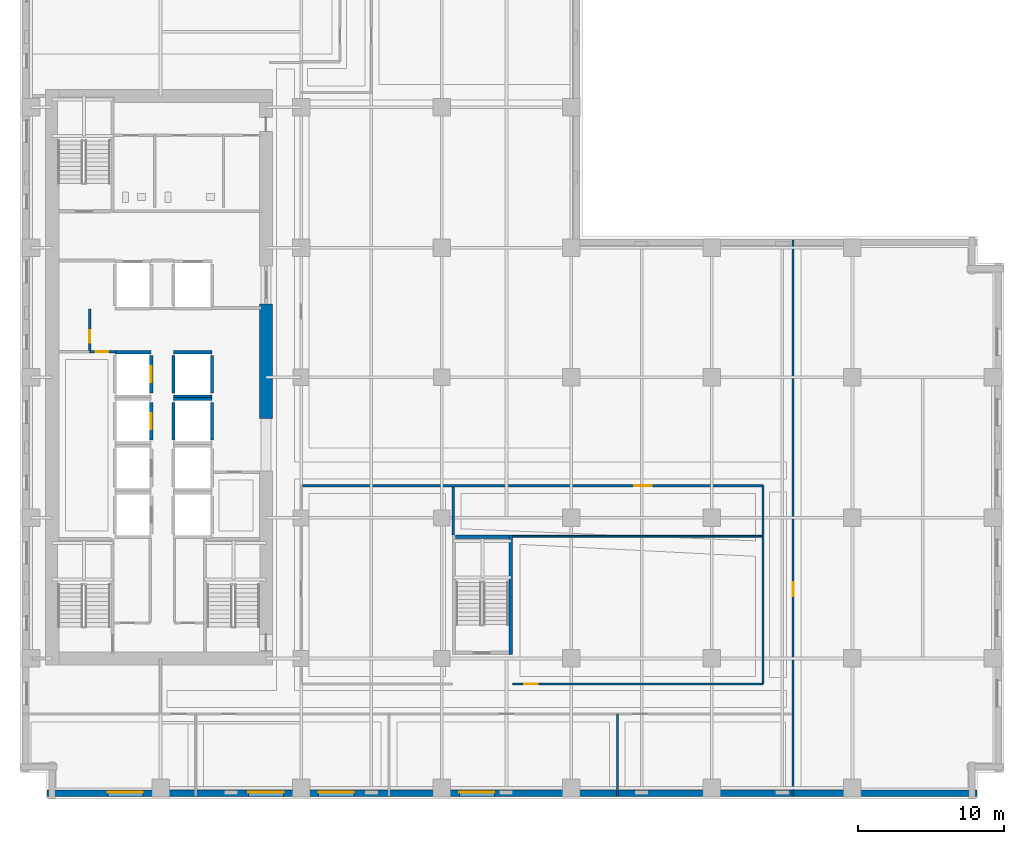
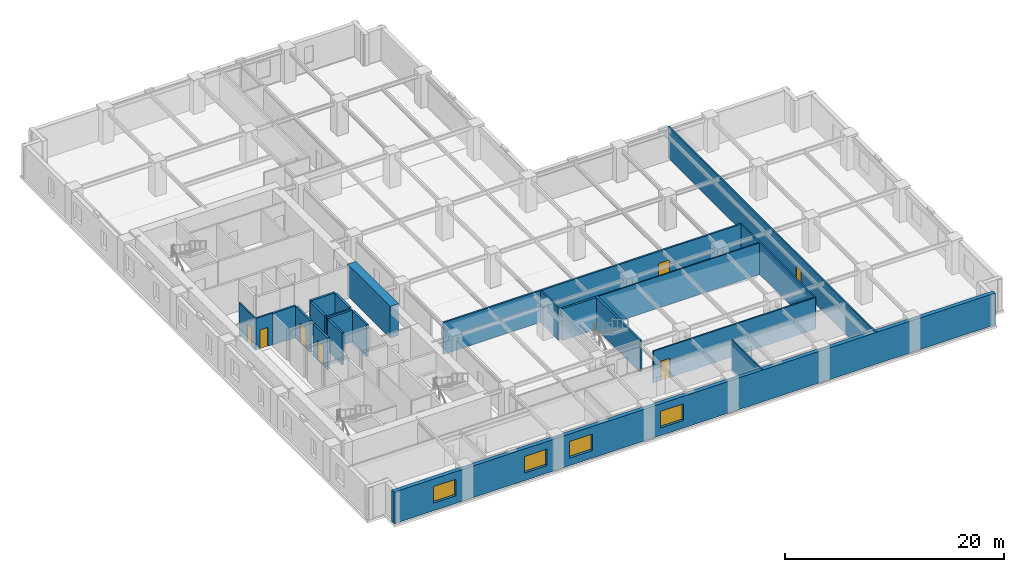
# One storey, part 5 of 13: 23 walls, 7 doors, 4 windows, 11 openings.
"""IFC4 building model written with IfcOpenShell, lengths in metres."""

from ifc_helpers import new_model, si_unit, direction, frame, frame_2d, origin, place, context, subcontext, project, spatial, rectangle, extrude, material, layer, layer_set, type_object, element, fill, save


model = new_model("IFC4")

# Units and contexts
model_context = context("Model", 3, precision=1e-05, world=origin(), true_north=direction((0.0, 1.0)))
body_context = subcontext(model_context, "Body", "Model", "MODEL_VIEW")
ifc_project = project(units=[si_unit("LENGTHUNIT", "METRE"), si_unit("AREAUNIT", "SQUARE_METRE"), si_unit("VOLUMEUNIT", "CUBIC_METRE"), si_unit("PLANEANGLEUNIT", "RADIAN"), si_unit("MASSUNIT", "GRAM", prefix="KILO")], contexts=[model_context])

# Site, building, storey
site_placement = place(None, origin())
site = spatial("IfcSite", under=ifc_project, at=site_placement, CompositionType="ELEMENT")
building_placement = place(site_placement, origin())
building = spatial("IfcBuilding", under=site, at=building_placement, Name="Norrvale University Quadrangle", CompositionType="ELEMENT")
storey_placement = place(building_placement, frame((0.0, 0.0, 39.39990234375)))
storey = spatial("IfcBuildingStorey", under=building, at=storey_placement, Name="L09", CompositionType="ELEMENT", Elevation=39.39990234375)

# Wall, openings, windows
ifc_material_1 = material(Name="Buff Norman Clay Brick Masonry", Category="masonry")
ifc_layer_1 = layer(ifc_material_1, 0.419921875, Name="Buff Norman Clay Brick Masonry")
ifc_layer_set_1 = layer_set([ifc_layer_1], Name="Buff Norman Clay Brick Masonry")
wall_type_1 = type_object("IfcWallType", Name="Wall Buff Brick 420", PredefinedType="SOLIDWALL", material=ifc_layer_set_1)
wall_1_placement = place(storey_placement, frame((1.840087890625, 0.389892578125, 0.0), z_axis=(0.0, 0.0, 1.0), x_axis=(1.0, 0.0, 0.0)))
wall_1 = element("IfcWall", 1, at=wall_1_placement, inside=storey, type_object=wall_type_1, Name="Exterior Brick Facade Wall L09-01.1", PredefinedType="SOLIDWALL", context=body_context, shape_type="SweptSolid", body=[
    extrude(rectangle(XDim=63.52001953125, YDim=0.419921875, at=frame_2d((31.760009765625, 0.0))), origin(), (0.0, 0.0, 1.0), 3.5400390625),
])
opening_1_placement = place(wall_1_placement, frame((4.159912109375, 0.0, 0.85009765625)))
opening_1 = element("IfcOpeningElement", 2, at=opening_1_placement, cuts=wall_1, Name="Opening W02", PredefinedType="OPENING", context=body_context, shape_type="SweptSolid", body=[
    extrude(rectangle(XDim=2.39990234375, YDim=1.85009765625, at=frame_2d((1.199951171875, 0.925048828125))), frame((0.0, 0.221923828125, 0.0), z_axis=(0.0, -1.0, 0.0), x_axis=(1.0, 0.0, 0.0)), (0.0, 0.0, 1.0), 0.44384765625),
])
opening_2_placement = place(wall_1_placement, frame((13.760009765625, 0.0, 0.85009765625)))
opening_2 = element("IfcOpeningElement", 3, at=opening_2_placement, cuts=wall_1, Name="Opening W02", PredefinedType="OPENING", context=body_context, shape_type="SweptSolid", body=[
    extrude(rectangle(XDim=2.39990234375, YDim=1.85009765625, at=frame_2d((1.199951171875, 0.925048828125))), frame((0.0, 0.221923828125, 0.0), z_axis=(0.0, -1.0, 0.0), x_axis=(1.0, 0.0, 0.0)), (0.0, 0.0, 1.0), 0.44384765625),
])
opening_3_placement = place(wall_1_placement, frame((18.56005859375, 0.0, 0.85009765625)))
opening_3 = element("IfcOpeningElement", 4, at=opening_3_placement, cuts=wall_1, Name="Opening W02", PredefinedType="OPENING", context=body_context, shape_type="SweptSolid", body=[
    extrude(rectangle(XDim=2.39990234375, YDim=1.85009765625, at=frame_2d((1.199951171875, 0.925048828125))), frame((0.0, 0.221923828125, 0.0), z_axis=(0.0, -1.0, 0.0), x_axis=(1.0, 0.0, 0.0)), (0.0, 0.0, 1.0), 0.44384765625),
])
opening_4_placement = place(wall_1_placement, frame((28.159912109375, 0.0, 0.85009765625)))
opening_4 = element("IfcOpeningElement", 5, at=opening_4_placement, cuts=wall_1, Name="Opening W02", PredefinedType="OPENING", context=body_context, shape_type="SweptSolid", body=[
    extrude(rectangle(XDim=2.39990234375, YDim=1.85009765625, at=frame_2d((1.199951171875, 0.925048828125))), frame((0.0, 0.221923828125, 0.0), z_axis=(0.0, -1.0, 0.0), x_axis=(1.0, 0.0, 0.0)), (0.0, 0.0, 1.0), 0.44384765625),
])
ifc_material_2 = material(Name="Triple Low-E Argon Glazing", Category="glass")
window_type = type_object("IfcWindowType", Name="Window Academic 2400x2300", PartitioningType="TRIPLE_PANEL_VERTICAL", PredefinedType="WINDOW", material=ifc_material_2)
window_1_placement = place(opening_1_placement, origin())
window_1 = element("IfcWindow", 6, at=window_1_placement, inside=storey, type_object=window_type, Name="Window Academic 2400x2300 WIN-L09-E01-1-01", OverallHeight=1.85009765625, OverallWidth=2.39990234375, PartitioningType="TRIPLE_PANEL_VERTICAL", PredefinedType="WINDOW", context=body_context, shape_type="SweptSolid", body=[
    extrude(rectangle(XDim=2.39990234375, YDim=1.85009765625, at=frame_2d((1.199951171875, 0.925048828125))), frame((0.0, 0.110107421875, 0.0), z_axis=(0.0, -1.0, 0.0), x_axis=(1.0, 0.0, 0.0)), (0.0, 0.0, 1.0), 0.06005859375),
])
fill(opening_1, window_1)
window_2_placement = place(opening_2_placement, origin())
window_2 = element("IfcWindow", 7, at=window_2_placement, inside=storey, type_object=window_type, Name="Window Academic 2400x2300 WIN-L09-E01-1-02", OverallHeight=1.85009765625, OverallWidth=2.39990234375, PartitioningType="TRIPLE_PANEL_VERTICAL", PredefinedType="WINDOW", context=body_context, shape_type="SweptSolid", body=[
    extrude(rectangle(XDim=2.39990234375, YDim=1.85009765625, at=frame_2d((1.199951171875, 0.925048828125))), frame((0.0, 0.110107421875, 0.0), z_axis=(0.0, -1.0, 0.0), x_axis=(1.0, 0.0, 0.0)), (0.0, 0.0, 1.0), 0.06005859375),
])
fill(opening_2, window_2)
window_3_placement = place(opening_3_placement, origin())
window_3 = element("IfcWindow", 8, at=window_3_placement, inside=storey, type_object=window_type, Name="Window Academic 2400x2300 WIN-L09-E01-1-03", OverallHeight=1.85009765625, OverallWidth=2.39990234375, PartitioningType="TRIPLE_PANEL_VERTICAL", PredefinedType="WINDOW", context=body_context, shape_type="SweptSolid", body=[
    extrude(rectangle(XDim=2.39990234375, YDim=1.85009765625, at=frame_2d((1.199951171875, 0.925048828125))), frame((0.0, 0.110107421875, 0.0), z_axis=(0.0, -1.0, 0.0), x_axis=(1.0, 0.0, 0.0)), (0.0, 0.0, 1.0), 0.06005859375),
])
fill(opening_3, window_3)
window_4_placement = place(opening_4_placement, origin())
window_4 = element("IfcWindow", 9, at=window_4_placement, inside=storey, type_object=window_type, Name="Window Academic 2400x2300 WIN-L09-E01-1-04", OverallHeight=1.85009765625, OverallWidth=2.39990234375, PartitioningType="TRIPLE_PANEL_VERTICAL", PredefinedType="WINDOW", context=body_context, shape_type="SweptSolid", body=[
    extrude(rectangle(XDim=2.39990234375, YDim=1.85009765625, at=frame_2d((1.199951171875, 0.925048828125))), frame((0.0, 0.110107421875, 0.0), z_axis=(0.0, -1.0, 0.0), x_axis=(1.0, 0.0, 0.0)), (0.0, 0.0, 1.0), 0.06005859375),
])
fill(opening_4, window_4)

# Walls
ifc_material_3 = material(Name="Concrete C80/95", Category="concrete")
ifc_layer_2 = layer(ifc_material_3, 0.89990234375, Name="Concrete C80/95")
ifc_layer_set_2 = layer_set([ifc_layer_2], Name="Concrete C80/95")
wall_type_2 = type_object("IfcWallType", Name="Wall Core 900", PredefinedType="SHEAR", material=ifc_layer_set_2)
wall_2_placement = place(storey_placement, frame((16.800048828125, 26.0, 0.0), z_axis=(0.0, 0.0, 1.0), x_axis=(0.0, 1.0, 0.0)))
element("IfcWall", 10, at=wall_2_placement, inside=storey, type_object=wall_type_2, Name="Tower Core Shear Wall L09-E2", PredefinedType="SHEAR", context=body_context, shape_type="SweptSolid", body=[
    extrude(rectangle(XDim=7.800048828125, YDim=0.89990234375, at=frame_2d((3.89990234375, 0.0))), origin(), (0.0, 0.0, 1.0), 3.5400390625),
])
ifc_material_4 = material(Name="Standard Academic Gypsum Partition")
ifc_layer_3 = layer(ifc_material_4, 0.125, Name="Standard Academic Gypsum Partition")
ifc_layer_set_3 = layer_set([ifc_layer_3], Name="Standard Academic Gypsum Partition")
wall_type_3 = type_object("IfcWallType", Name="Wall Gypsum Academic 125", PredefinedType="PARTITIONING", material=ifc_layer_set_3)
wall_3_placement = place(storey_placement, frame((40.800048828125, 0.219970703125, 0.0), z_axis=(0.0, 0.0, 1.0), x_axis=(0.0, 1.0, 0.0)))
element("IfcWall", 11, at=wall_3_placement, inside=storey, type_object=wall_type_3, Name="Interior Partition WL-L09-SP03", PredefinedType="PARTITIONING", context=body_context, shape_type="SweptSolid", body=[
    extrude(rectangle(XDim=5.580078125, YDim=0.125, at=frame_2d((2.7900390625, 0.0))), origin(), (0.0, 0.0, 1.0), 3.5400390625),
])
wall_4_placement = place(storey_placement, frame((33.6201171875, 17.93994140625, 0.0), z_axis=(0.0, 0.0, 1.0), x_axis=(1.0, 0.0, 0.0)))
element("IfcWall", 12, at=wall_4_placement, inside=storey, type_object=wall_type_3, Name="Interior Partition WL-L09-ISLH", PredefinedType="PARTITIONING", context=body_context, shape_type="SweptSolid", body=[
    extrude(rectangle(XDim=17.1298828125, YDim=0.125, at=frame_2d((8.56494140625, 0.0))), origin(), (0.0, 0.0, 1.0), 3.5400390625),
])

# Wall, opening, door
ifc_material_5 = material(Name="Fire-Rated Gypsum Stud Partition")
ifc_layer_4 = layer(ifc_material_5, 0.14990234375, Name="Fire-Rated Gypsum Stud Partition")
ifc_layer_set_4 = layer_set([ifc_layer_4], Name="Fire-Rated Gypsum Stud Partition")
wall_type_4 = type_object("IfcWallType", Name="Wall Gypsum Corridor 150", PredefinedType="PARTITIONING", material=ifc_layer_set_4)
wall_5_placement = place(storey_placement, frame((4.760009765625, 30.550048828125, 0.0), z_axis=(0.0, 0.0, 1.0), x_axis=(0.0, 1.0, 0.0)))
wall_5 = element("IfcWall", 13, at=wall_5_placement, inside=storey, type_object=wall_type_4, Name="Interior Partition WL-L09-WME-E", PredefinedType="PARTITIONING", context=body_context, shape_type="SweptSolid", body=[
    extrude(rectangle(XDim=2.929931640625, YDim=0.14990234375, at=frame_2d((1.46484375, 0.0))), origin(), (0.0, 0.0, 1.0), 3.5400390625),
])
opening_5_placement = place(wall_5_placement, frame((0.60009765625, 0.0, 0.0)))
opening_5 = element("IfcOpeningElement", 14, at=opening_5_placement, cuts=wall_5, Name="Opening D10", PredefinedType="OPENING", context=body_context, shape_type="SweptSolid", body=[
    extrude(rectangle(XDim=0.85009765625, YDim=2.10009765625, at=frame_2d((0.425048828125, 1.050048828125))), frame((0.0, 0.0869140625, 0.0), z_axis=(0.0, -1.0, 0.0), x_axis=(1.0, 0.0, 0.0)), (0.0, 0.0, 1.0), 0.173828125),
])
ifc_material_6 = material(Name="Hollow Steel 350W Riser Fire Door", Category="steel")
door_type_1 = type_object("IfcDoorType", Name="Door Riser 850x2100", OperationType="NOTDEFINED", PredefinedType="DOOR", material=ifc_material_6)
door_1_placement = place(opening_5_placement, origin())
door_1 = element("IfcDoor", 15, at=door_1_placement, inside=storey, type_object=door_type_1, Name="Door Riser 850x2100 DR-L09-WME", OperationType="SINGLE_SWING_LEFT", OverallHeight=2.10009765625, OverallWidth=0.85009765625, PredefinedType="DOOR", context=body_context, shape_type="SweptSolid", body=[
    extrude(rectangle(XDim=0.85009765625, YDim=2.10009765625, at=frame_2d((0.425048828125, 1.050048828125))), frame((0.0, 0.02490234375, 0.0), z_axis=(0.0, -1.0, 0.0), x_axis=(1.0, 0.0, 0.0)), (0.0, 0.0, 1.0), 0.050048828125),
])
fill(opening_5, door_1)

wall_6_placement = place(storey_placement, frame((4.760009765625, 30.550048828125, 0.0), z_axis=(0.0, 0.0, 1.0), x_axis=(1.0, 0.0, 0.0)))
wall_6 = element("IfcWall", 16, at=wall_6_placement, inside=storey, type_object=wall_type_4, Name="Interior Partition WL-L09-WST-N", PredefinedType="PARTITIONING", context=body_context, shape_type="SweptSolid", body=[
    extrude(rectangle(XDim=1.760009765625, YDim=0.14990234375, at=frame_2d((0.8798828125, 0.0))), origin(), (0.0, 0.0, 1.0), 3.5400390625),
])
opening_6_placement = place(wall_6_placement, frame((0.39990234375, 0.0, 0.0)))
opening_6 = element("IfcOpeningElement", 17, at=opening_6_placement, cuts=wall_6, Name="Opening D10", PredefinedType="OPENING", context=body_context, shape_type="SweptSolid", body=[
    extrude(rectangle(XDim=0.85009765625, YDim=2.10009765625, at=frame_2d((0.425048828125, 1.050048828125))), frame((0.0, 0.0869140625, 0.0), z_axis=(0.0, -1.0, 0.0), x_axis=(1.0, 0.0, 0.0)), (0.0, 0.0, 1.0), 0.173828125),
])
door_2_placement = place(opening_6_placement, origin())
door_2 = element("IfcDoor", 18, at=door_2_placement, inside=storey, type_object=door_type_1, Name="Door Riser 850x2100 DR-L09-WST", OperationType="SINGLE_SWING_RIGHT", OverallHeight=2.10009765625, OverallWidth=0.85009765625, PredefinedType="DOOR", context=body_context, shape_type="SweptSolid", body=[
    extrude(rectangle(XDim=0.85009765625, YDim=2.10009765625, at=frame_2d((0.425048828125, 1.050048828125))), frame((0.0, 0.02490234375, 0.0), z_axis=(0.0, -1.0, 0.0), x_axis=(1.0, 0.0, 0.0)), (0.0, 0.0, 1.0), 0.050048828125),
])
fill(opening_6, door_2)

wall_7_placement = place(storey_placement, frame((52.800048828125, 0.219970703125, 0.0), z_axis=(0.0, 0.0, 1.0), x_axis=(0.0, 1.0, 0.0)))
wall_7 = element("IfcWall", 19, at=wall_7_placement, inside=storey, type_object=wall_type_4, Name="Interior Partition WL-L09-ECW", PredefinedType="PARTITIONING", context=body_context, shape_type="SweptSolid", body=[
    extrude(rectangle(XDim=37.9599609375, YDim=0.14990234375, at=frame_2d((18.97998046875, 0.0))), origin(), (0.0, 0.0, 1.0), 3.5400390625),
])
opening_7_placement = place(wall_7_placement, frame((13.6298828125, 0.0, 0.0)))
opening_7 = element("IfcOpeningElement", 20, at=opening_7_placement, cuts=wall_7, Name="Opening D07", PredefinedType="OPENING", context=body_context, shape_type="SweptSolid", body=[
    extrude(rectangle(XDim=0.949951171875, YDim=2.14990234375, at=frame_2d((0.47509765625, 1.074951171875))), frame((0.0, 0.0869140625, 0.0), z_axis=(0.0, -1.0, 0.0), x_axis=(1.0, 0.0, 0.0)), (0.0, 0.0, 1.0), 0.173828125),
])
ifc_material_7 = material(Name="Solid-Core Maple Door", Category="wood")
door_type_2 = type_object("IfcDoorType", Name="Door Office 950x2150", OperationType="NOTDEFINED", PredefinedType="DOOR", material=ifc_material_7)
door_3_placement = place(opening_7_placement, origin())
door_3 = element("IfcDoor", 21, at=door_3_placement, inside=storey, type_object=door_type_2, Name="Door Office 950x2150 DR-L09-E01", OperationType="SINGLE_SWING_RIGHT", OverallHeight=2.14990234375, OverallWidth=0.949951171875, PredefinedType="DOOR", context=body_context, shape_type="SweptSolid", body=[
    extrude(rectangle(XDim=0.949951171875, YDim=2.14990234375, at=frame_2d((0.47509765625, 1.074951171875))), frame((0.0, 0.02490234375, 0.0), z_axis=(0.0, -1.0, 0.0), x_axis=(1.0, 0.0, 0.0)), (0.0, 0.0, 1.0), 0.050048828125),
])
fill(opening_7, door_3)

wall_8_placement = place(storey_placement, frame((33.6201171875, 7.85009765625, 0.0), z_axis=(0.0, 0.0, 1.0), x_axis=(1.0, 0.0, 0.0)))
wall_8 = element("IfcWall", 22, at=wall_8_placement, inside=storey, type_object=wall_type_4, Name="Interior Partition WL-L09-ISLS2", PredefinedType="PARTITIONING", context=body_context, shape_type="SweptSolid", body=[
    extrude(rectangle(XDim=17.1298828125, YDim=0.14990234375, at=frame_2d((8.56494140625, 0.0))), origin(), (0.0, 0.0, 1.0), 3.5400390625),
])
opening_8_placement = place(wall_8_placement, frame((0.800048828125, 0.0, 0.0)))
opening_8 = element("IfcOpeningElement", 23, at=opening_8_placement, cuts=wall_8, Name="Opening D07", PredefinedType="OPENING", context=body_context, shape_type="SweptSolid", body=[
    extrude(rectangle(XDim=0.949951171875, YDim=2.14990234375, at=frame_2d((0.47509765625, 1.074951171875))), frame((0.0, 0.0869140625, 0.0), z_axis=(0.0, -1.0, 0.0), x_axis=(1.0, 0.0, 0.0)), (0.0, 0.0, 1.0), 0.173828125),
])
door_4_placement = place(opening_8_placement, origin())
door_4 = element("IfcDoor", 24, at=door_4_placement, inside=storey, type_object=door_type_2, Name="Door Office 950x2150 DR-L09-ISE", OperationType="SINGLE_SWING_LEFT", OverallHeight=2.14990234375, OverallWidth=0.949951171875, PredefinedType="DOOR", context=body_context, shape_type="SweptSolid", body=[
    extrude(rectangle(XDim=0.949951171875, YDim=2.14990234375, at=frame_2d((0.47509765625, 1.074951171875))), frame((0.0, 0.02490234375, 0.0), z_axis=(0.0, -1.0, 0.0), x_axis=(1.0, 0.0, 0.0)), (0.0, 0.0, 1.0), 0.050048828125),
])
fill(opening_8, door_4)

# Walls
wall_9_placement = place(storey_placement, frame((50.75, 7.85009765625, 0.0), z_axis=(0.0, 0.0, 1.0), x_axis=(0.0, 1.0, 0.0)))
element("IfcWall", 25, at=wall_9_placement, inside=storey, type_object=wall_type_4, Name="Interior Partition WL-L09-ISLE", PredefinedType="PARTITIONING", context=body_context, shape_type="SweptSolid", body=[
    extrude(rectangle(XDim=13.5498046875, YDim=0.14990234375, at=frame_2d((6.77490234375, 0.0))), origin(), (0.0, 0.0, 1.0), 3.5400390625),
])
ifc_material_8 = material(Name="Acoustic Double-Stud Gypsum Partition")
ifc_layer_5 = layer(ifc_material_8, 0.179931640625, Name="Acoustic Double-Stud Gypsum Partition")
ifc_layer_set_5 = layer_set([ifc_layer_5], Name="Acoustic Double-Stud Gypsum Partition")
wall_type_5 = type_object("IfcWallType", Name="Wall Gypsum Lecture 180", PredefinedType="PARTITIONING", material=ifc_layer_set_5)
wall_10_placement = place(storey_placement, frame((29.580078125, 18.02490234375, 0.0), z_axis=(0.0, 0.0, 1.0), x_axis=(0.0, 1.0, 0.0)))
element("IfcWall", 26, at=wall_10_placement, inside=storey, type_object=wall_type_5, Name="Interior Partition WL-L09-ISLD", PredefinedType="PARTITIONING", context=body_context, shape_type="SweptSolid", body=[
    extrude(rectangle(XDim=3.280029296875, YDim=0.179931640625, at=frame_2d((1.64013671875, 0.0))), origin(), (0.0, 0.0, 1.0), 3.5400390625),
])

# Wall, opening, door
wall_11_placement = place(storey_placement, frame((19.280029296875, 21.39990234375, 0.0), z_axis=(0.0, 0.0, 1.0), x_axis=(1.0, 0.0, 0.0)))
wall_11 = element("IfcWall", 27, at=wall_11_placement, inside=storey, type_object=wall_type_5, Name="Interior Partition WL-L09-ISLN", PredefinedType="PARTITIONING", context=body_context, shape_type="SweptSolid", body=[
    extrude(rectangle(XDim=31.469970703125, YDim=0.179931640625, at=frame_2d((15.73486328125, 0.0))), origin(), (0.0, 0.0, 1.0), 3.5400390625),
])
opening_9_placement = place(wall_11_placement, frame((22.669921875, 0.0, 0.0)))
opening_9 = element("IfcOpeningElement", 28, at=opening_9_placement, cuts=wall_11, Name="Opening D05", PredefinedType="OPENING", context=body_context, shape_type="SweptSolid", body=[
    extrude(rectangle(XDim=1.199951171875, YDim=2.199951171875, at=frame_2d((0.60009765625, 1.10009765625))), frame((0.0, 0.10205078125, 0.0), z_axis=(0.0, -1.0, 0.0), x_axis=(1.0, 0.0, 0.0)), (0.0, 0.0, 1.0), 0.203857421875),
])
ifc_material_9 = material(Name="Acoustic Oak Classroom Door", Category="wood")
door_type_3 = type_object("IfcDoorType", Name="Door Classroom 1200x2200", OperationType="NOTDEFINED", PredefinedType="DOOR", material=ifc_material_9)
door_5_placement = place(opening_9_placement, origin())
door_5 = element("IfcDoor", 29, at=door_5_placement, inside=storey, type_object=door_type_3, Name="Door Classroom 1200x2200 DR-L09-ILH", OperationType="SINGLE_SWING_RIGHT", OverallHeight=2.199951171875, OverallWidth=1.199951171875, PredefinedType="DOOR", context=body_context, shape_type="SweptSolid", body=[
    extrude(rectangle(XDim=1.199951171875, YDim=2.199951171875, at=frame_2d((0.60009765625, 1.10009765625))), frame((0.0, 0.02490234375, 0.0), z_axis=(0.0, -1.0, 0.0), x_axis=(1.0, 0.0, 0.0)), (0.0, 0.0, 1.0), 0.050048828125),
])
fill(opening_9, door_5)

# Walls
ifc_material_10 = material(Name="Concrete Blockwork 20 MPa Fire Shaft", Category="masonry")
ifc_layer_6 = layer(ifc_material_10, 0.219970703125, Name="Concrete Blockwork 20 MPa Fire Shaft")
ifc_layer_set_6 = layer_set([ifc_layer_6], Name="Concrete Blockwork 20 MPa Fire Shaft")
wall_type_6 = type_object("IfcWallType", Name="Wall Shaft 220", PredefinedType="SOLIDWALL", material=ifc_layer_set_6)
wall_12_placement = place(storey_placement, frame((33.510009765625, 9.8798828125, 0.0), z_axis=(0.0, 0.0, 1.0), x_axis=(0.0, 1.0, 0.0)))
element("IfcWall", 30, at=wall_12_placement, inside=storey, type_object=wall_type_6, Name="Stair ST-04 East Shaft Wall L09", PredefinedType="SOLIDWALL", context=body_context, shape_type="SweptSolid", body=[
    extrude(rectangle(XDim=8.14013671875, YDim=0.219970703125, at=frame_2d((4.070068359375, 0.0))), origin(), (0.0, 0.0, 1.0), 3.5400390625),
])
wall_13_placement = place(storey_placement, frame((29.75, 17.909912109375, 0.0), z_axis=(0.0, 0.0, 1.0), x_axis=(1.0, 0.0, 0.0)))
element("IfcWall", 31, at=wall_13_placement, inside=storey, type_object=wall_type_6, Name="Stair ST-04 North Shaft Wall L09", PredefinedType="SOLIDWALL", context=body_context, shape_type="SweptSolid", body=[
    extrude(rectangle(XDim=3.64990234375, YDim=0.219970703125, at=frame_2d((1.824951171875, 0.0))), origin(), (0.0, 0.0, 1.0), 3.5400390625),
])

# Wall, opening, door
wall_14_placement = place(storey_placement, frame((8.9599609375, 24.510009765625, 0.0), z_axis=(0.0, 0.0, 1.0), x_axis=(0.0, 1.0, 0.0)))
wall_14 = element("IfcWall", 32, at=wall_14_placement, inside=storey, type_object=wall_type_6, Name="Hoistway PL-03 East Wall L09", PredefinedType="SOLIDWALL", context=body_context, shape_type="SweptSolid", body=[
    extrude(rectangle(XDim=2.580078125, YDim=0.219970703125, at=frame_2d((1.2900390625, 0.0))), origin(), (0.0, 0.0, 1.0), 3.5400390625),
])
opening_10_placement = place(wall_14_placement, frame((0.739990234375, 0.0, 0.0)))
opening_10 = element("IfcOpeningElement", 33, at=opening_10_placement, cuts=wall_14, Name="Opening LD1", PredefinedType="OPENING", context=body_context, shape_type="SweptSolid", body=[
    extrude(rectangle(XDim=1.10009765625, YDim=2.199951171875, at=frame_2d((0.550048828125, 1.10009765625))), frame((0.0, 0.1220703125, 0.0), z_axis=(0.0, -1.0, 0.0), x_axis=(1.0, 0.0, 0.0)), (0.0, 0.0, 1.0), 0.243896484375),
])
ifc_material_11 = material(Name="Stainless Steel 316L Lift Landing Door", Category="steel")
door_type_4 = type_object("IfcDoorType", Name="Door Lift Landing 1100x2200", OperationType="DOUBLE_DOOR_SLIDING", PredefinedType="DOOR", material=ifc_material_11)
door_6_placement = place(opening_10_placement, origin())
door_6 = element("IfcDoor", 34, at=door_6_placement, inside=storey, type_object=door_type_4, Name="Elevator Landing Door DR-L09-PL-03", OperationType="DOUBLE_DOOR_SLIDING", OverallHeight=2.199951171875, OverallWidth=1.10009765625, PredefinedType="DOOR", context=body_context, shape_type="SweptSolid", body=[
    extrude(rectangle(XDim=1.10009765625, YDim=2.199951171875, at=frame_2d((0.550048828125, 1.10009765625))), frame((0.0, 0.02490234375, 0.0), z_axis=(0.0, -1.0, 0.0), x_axis=(1.0, 0.0, 0.0)), (0.0, 0.0, 1.0), 0.050048828125),
])
fill(opening_10, door_6)

wall_15_placement = place(storey_placement, frame((8.9599609375, 27.7099609375, 0.0), z_axis=(0.0, 0.0, 1.0), x_axis=(0.0, 1.0, 0.0)))
wall_15 = element("IfcWall", 35, at=wall_15_placement, inside=storey, type_object=wall_type_6, Name="Hoistway PL-04 East Wall L09", PredefinedType="SOLIDWALL", context=body_context, shape_type="SweptSolid", body=[
    extrude(rectangle(XDim=2.580078125, YDim=0.219970703125, at=frame_2d((1.2900390625, 0.0))), origin(), (0.0, 0.0, 1.0), 3.5400390625),
])
opening_11_placement = place(wall_15_placement, frame((0.739990234375, 0.0, 0.0)))
opening_11 = element("IfcOpeningElement", 36, at=opening_11_placement, cuts=wall_15, Name="Opening LD1", PredefinedType="OPENING", context=body_context, shape_type="SweptSolid", body=[
    extrude(rectangle(XDim=1.10009765625, YDim=2.199951171875, at=frame_2d((0.550048828125, 1.10009765625))), frame((0.0, 0.1220703125, 0.0), z_axis=(0.0, -1.0, 0.0), x_axis=(1.0, 0.0, 0.0)), (0.0, 0.0, 1.0), 0.243896484375),
])
door_7_placement = place(opening_11_placement, origin())
door_7 = element("IfcDoor", 37, at=door_7_placement, inside=storey, type_object=door_type_4, Name="Elevator Landing Door DR-L09-PL-04", OperationType="DOUBLE_DOOR_SLIDING", OverallHeight=2.199951171875, OverallWidth=1.10009765625, PredefinedType="DOOR", context=body_context, shape_type="SweptSolid", body=[
    extrude(rectangle(XDim=1.10009765625, YDim=2.199951171875, at=frame_2d((0.550048828125, 1.10009765625))), frame((0.0, 0.02490234375, 0.0), z_axis=(0.0, -1.0, 0.0), x_axis=(1.0, 0.0, 0.0)), (0.0, 0.0, 1.0), 0.050048828125),
])
fill(opening_11, door_7)

# Walls
wall_16_placement = place(storey_placement, frame((6.489990234375, 30.510009765625, 0.0), z_axis=(0.0, 0.0, 1.0), x_axis=(1.0, 0.0, 0.0)))
element("IfcWall", 38, at=wall_16_placement, inside=storey, type_object=wall_type_6, Name="Hoistway PL-04 North Wall L09", PredefinedType="SOLIDWALL", context=body_context, shape_type="SweptSolid", body=[
    extrude(rectangle(XDim=2.469970703125, YDim=0.219970703125, at=frame_2d((1.23486328125, 0.0))), origin(), (0.0, 0.0, 1.0), 3.5400390625),
])
for number, where, z_axis, x_axis, name in (
    (39, (10.489990234375, 24.510009765625, 0.0), (0.0, 0.0, 1.0), (0.0, 1.0, 0.0), "Hoistway PL-07 West Wall L09"),
    (40, (13.110107421875, 24.510009765625, 0.0), (0.0, 0.0, 1.0), (0.0, 1.0, 0.0), "Hoistway PL-07 East Wall L09"),
):
    element("IfcWall", number, at=place(storey_placement, frame(where, z_axis=z_axis, x_axis=x_axis)), inside=storey, type_object=wall_type_6, Name=name, PredefinedType="SOLIDWALL", context=body_context, shape_type="SweptSolid", body=[
        extrude(rectangle(XDim=2.580078125, YDim=0.219970703125, at=frame_2d((1.2900390625, 0.0))), origin(), (0.0, 0.0, 1.0), 3.5400390625),
    ])
wall_17_placement = place(storey_placement, frame((10.489990234375, 27.31005859375, 0.0), z_axis=(0.0, 0.0, 1.0), x_axis=(1.0, 0.0, 0.0)))
element("IfcWall", 41, at=wall_17_placement, inside=storey, type_object=wall_type_6, Name="Hoistway PL-07 North Wall L09", PredefinedType="SOLIDWALL", context=body_context, shape_type="SweptSolid", body=[
    extrude(rectangle(XDim=2.6201171875, YDim=0.219970703125, at=frame_2d((1.31005859375, 0.0))), origin(), (0.0, 0.0, 1.0), 3.5400390625),
])
for number, where, z_axis, x_axis, name in (
    (42, (10.489990234375, 27.7099609375, 0.0), (0.0, 0.0, 1.0), (0.0, 1.0, 0.0), "Hoistway PL-08 West Wall L09"),
    (43, (13.110107421875, 27.7099609375, 0.0), (0.0, 0.0, 1.0), (0.0, 1.0, 0.0), "Hoistway PL-08 East Wall L09"),
):
    element("IfcWall", number, at=place(storey_placement, frame(where, z_axis=z_axis, x_axis=x_axis)), inside=storey, type_object=wall_type_6, Name=name, PredefinedType="SOLIDWALL", context=body_context, shape_type="SweptSolid", body=[
        extrude(rectangle(XDim=2.580078125, YDim=0.219970703125, at=frame_2d((1.2900390625, 0.0))), origin(), (0.0, 0.0, 1.0), 3.5400390625),
    ])
for number, where, z_axis, x_axis, name in (
    (44, (10.489990234375, 27.489990234375, 0.0), (0.0, 0.0, 1.0), (1.0, 0.0, 0.0), "Hoistway PL-08 South Wall L09"),
    (45, (10.489990234375, 30.510009765625, 0.0), (0.0, 0.0, 1.0), (1.0, 0.0, 0.0), "Hoistway PL-08 North Wall L09"),
):
    element("IfcWall", number, at=place(storey_placement, frame(where, z_axis=z_axis, x_axis=x_axis)), inside=storey, type_object=wall_type_6, Name=name, PredefinedType="SOLIDWALL", context=body_context, shape_type="SweptSolid", body=[
        extrude(rectangle(XDim=2.6201171875, YDim=0.219970703125, at=frame_2d((1.31005859375, 0.0))), origin(), (0.0, 0.0, 1.0), 3.5400390625),
    ])

save(model, "model.ifc")
